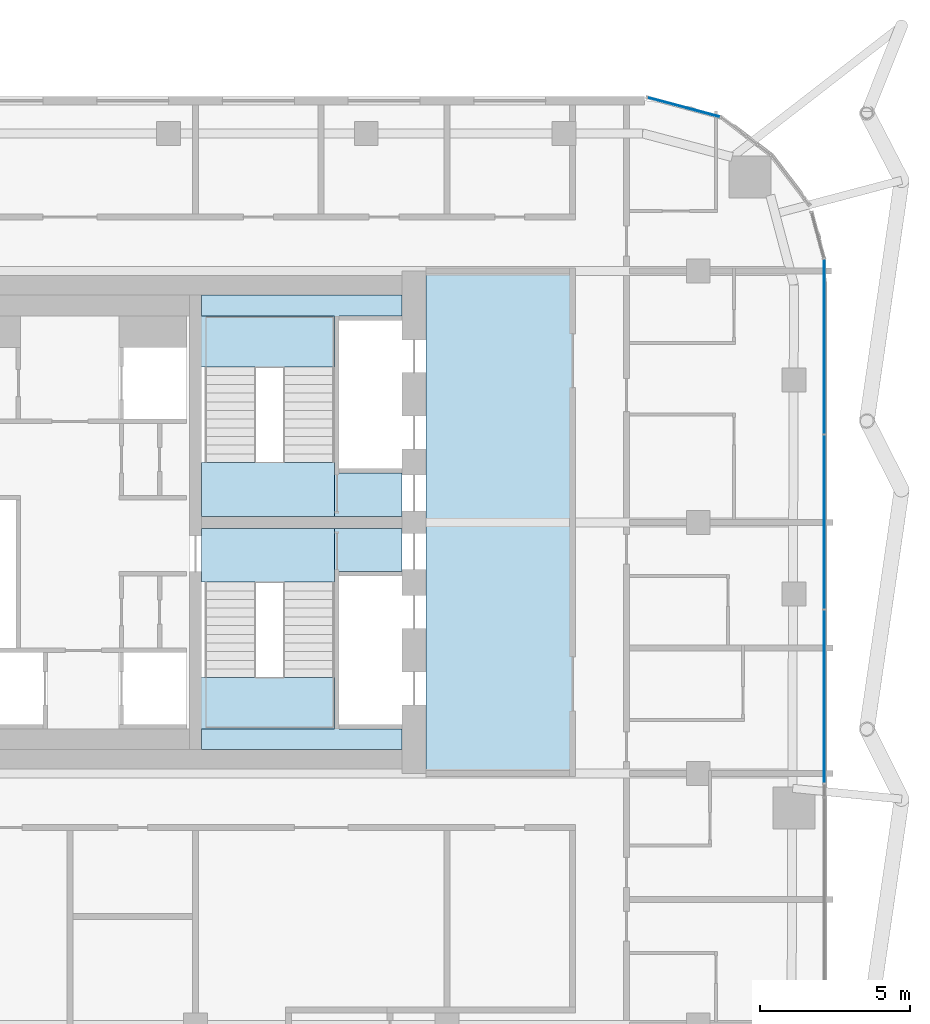
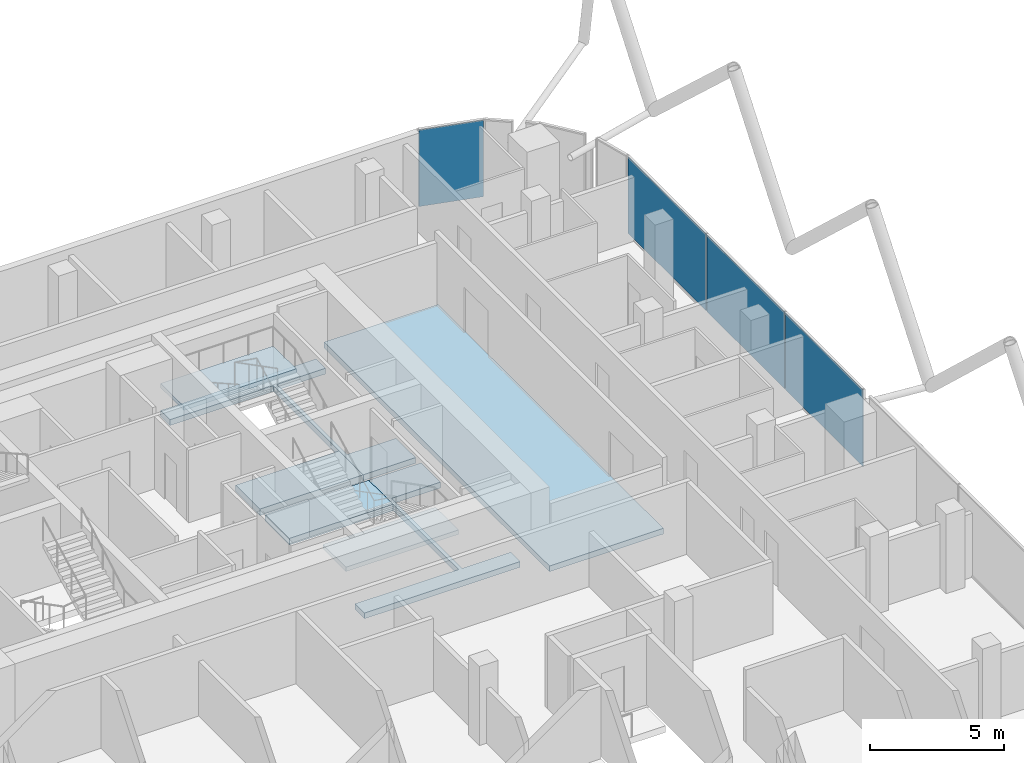
# One storey, part 23 of 33: 7 slabs, 4 plates, 4 elements without a shape of their own.
"""IFC4 building model written with IfcOpenShell, lengths in metres."""

from ifc_helpers import new_model, si_unit, direction, frame, origin, origin_2d, place, context, subcontext, project, spatial, polyline, rectangle, outline, extrude, material, layer, layer_set, type_object, element, aggregate, save


model = new_model("IFC4")

# Units and contexts
model_context = context("Model", 3, precision=1e-05, world=origin(), true_north=direction((0.0, 1.0)))
body_context = subcontext(model_context, "Body", "Model", "MODEL_VIEW")
ifc_project = project(units=[si_unit("LENGTHUNIT", "METRE"), si_unit("AREAUNIT", "SQUARE_METRE"), si_unit("VOLUMEUNIT", "CUBIC_METRE"), si_unit("PLANEANGLEUNIT", "RADIAN"), si_unit("MASSUNIT", "GRAM", prefix="KILO")], contexts=[model_context])

# Site, building, storey
site_placement = place(None, origin())
site = spatial("IfcSite", under=ifc_project, at=site_placement, CompositionType="ELEMENT")
building_placement = place(site_placement, origin())
building = spatial("IfcBuilding", under=site, at=building_placement, Name="Marenta Gate Hotel Tower", CompositionType="ELEMENT")
storey_placement = place(building_placement, frame((0.0, 0.0, 248.89990234375)))
storey = spatial("IfcBuildingStorey", under=building, at=storey_placement, Name="L59", CompositionType="ELEMENT", Elevation=248.89990234375)

# Slabs
ifc_material_1 = material(Name="Concrete C40", Category="concrete")
ifc_layer_1 = layer(ifc_material_1, 0.260009765625)
ifc_layer_set_1 = layer_set([ifc_layer_1], Name="Concrete C40")
slab_type_1 = type_object("IfcSlabType", Name="Core floor slab 260", PredefinedType="FLOOR", material=ifc_layer_set_1)
slab_1_placement = place(storey_placement, frame((0.0, 0.0, -0.260009765625)))
element("IfcSlab", 1, at=slab_1_placement, inside=storey, type_object=slab_type_1, Name="L59-CF-1", PredefinedType="FLOOR", context=body_context, shape_type="SweptSolid", body=[
    extrude(outline(polyline([(11.89990234375, 0.0), (11.89990234375, 16.800048828125), (16.800048828125, 16.800048828125), (16.800048828125, 0.0), (11.89990234375, 0.0)])), origin(), (0.0, 0.0, 1.0), 0.260009765625),
])
slab_2_placement = place(storey_placement, frame((0.0, 0.0, -0.260009765625)))
element("IfcSlab", 2, at=slab_2_placement, inside=storey, type_object=slab_type_1, Name="L59-CF-2", PredefinedType="FLOOR", context=body_context, shape_type="SweptSolid", body=[
    extrude(outline(polyline([(8.85009765625, 1.5), (8.85009765625, 6.39990234375), (8.85009765625, 8.10009765625), (8.85009765625, 8.199951171875), (11.10009765625, 8.199951171875), (11.10009765625, 6.75), (9.0, 6.75), (9.0, 6.60009765625), (9.0, 4.199951171875), (9.0, 4.050048828125), (9.0, 1.64990234375), (9.0, 1.5), (11.10009765625, 1.5), (11.10009765625, 0.800048828125), (4.39990234375, 0.800048828125), (4.39990234375, 1.5), (8.85009765625, 1.5)])), origin(), (0.0, 0.0, 1.0), 0.260009765625),
])
slab_3_placement = place(storey_placement, frame((0.0, 0.0, -0.260009765625)))
element("IfcSlab", 3, at=slab_3_placement, inside=storey, type_object=slab_type_1, Name="L59-CF-3", PredefinedType="FLOOR", context=body_context, shape_type="SweptSolid", body=[
    extrude(outline(polyline([(8.85009765625, 15.300048828125), (4.39990234375, 15.300048828125), (4.39990234375, 16.0), (11.10009765625, 16.0), (11.10009765625, 15.300048828125), (9.0, 15.300048828125), (9.0, 15.14990234375), (9.0, 12.75), (9.0, 12.60009765625), (9.0, 10.199951171875), (9.0, 10.050048828125), (11.10009765625, 10.050048828125), (11.10009765625, 8.60009765625), (8.85009765625, 8.60009765625), (8.85009765625, 8.699951171875), (8.85009765625, 10.39990234375), (8.85009765625, 15.300048828125)])), origin(), (0.0, 0.0, 1.0), 0.260009765625),
])

# Stair, slab
ifc_material_2 = material(Name="Concrete C40", Category="concrete")
stair_type = type_object("IfcStairType", Name="Core exit stair 1700 wide", PredefinedType="HALF_TURN_STAIR", material=ifc_material_2)
stair_1_placement = place(storey_placement, origin())
stair_1 = element("IfcStair", 4, at=stair_1_placement, inside=storey, type_object=stair_type, Name="Exit stair 3", PredefinedType="HALF_TURN_STAIR")
ifc_material_3 = material(Name="Concrete C40", Category="concrete")
ifc_layer_2 = layer(ifc_material_3, 0.199951171875)
ifc_layer_set_2 = layer_set([ifc_layer_2], Name="Concrete C40")
slab_type_2 = type_object("IfcSlabType", Name="Core stair landing 200", PredefinedType="LANDING", material=ifc_layer_set_2)
slab_4_placement = place(storey_placement, frame((0.0, 0.0, 1.60009765625)))
slab_4 = element("IfcSlab", 5, at=slab_4_placement, type_object=slab_type_2, Name="SL-200 ST3 landing 1", PredefinedType="LANDING", context=body_context, shape_type="SweptSolid", body=[
    extrude(outline(polyline([(4.0, 1.5), (8.85009765625, 1.5), (8.85009765625, 3.2099609375), (4.0, 3.2099609375), (4.0, 1.5)])), origin(), (0.0, 0.0, 1.0), 0.199951171875),
])
aggregate(stair_1, [slab_4])

stair_2_placement = place(storey_placement, origin())
stair_2 = element("IfcStair", 6, at=stair_2_placement, inside=storey, type_object=stair_type, Name="Exit stair 4", PredefinedType="HALF_TURN_STAIR")
slab_5_placement = place(storey_placement, frame((0.0, 0.0, 1.60009765625)))
slab_5 = element("IfcSlab", 7, at=slab_5_placement, type_object=slab_type_2, Name="SL-200 ST4 landing 1", PredefinedType="LANDING", context=body_context, shape_type="SweptSolid", body=[
    extrude(outline(polyline([(4.0, 13.590087890625), (8.85009765625, 13.590087890625), (8.85009765625, 15.300048828125), (4.0, 15.300048828125), (4.0, 13.590087890625)])), origin(), (0.0, 0.0, 1.0), 0.199951171875),
])
aggregate(stair_2, [slab_5])

# Curtain wall, plates
ifc_material_4 = material(Name="Tinted insulated glass in bronze anodised frame", Category="glass")
ifc_layer_3 = layer(ifc_material_4, 0.1201171875)
ifc_layer_set_3 = layer_set([ifc_layer_3], Name="Tinted insulated glass in bronze anodised frame")
curtain_wall_type = type_object("IfcCurtainWallType", Name="Tower unitised curtain wall CW1", PredefinedType="NOTDEFINED", material=ifc_layer_set_3)
curtain_wall_1_placement = place(storey_placement, origin())
curtain_wall_1 = element("IfcCurtainWall", 8, at=curtain_wall_1_placement, inside=storey, type_object=curtain_wall_type, Name="CW1 run G34", PredefinedType="NOTDEFINED")
ifc_material_5 = material(Name="Tinted insulated glass", Category="glass")
ifc_layer_4 = layer(ifc_material_5, 0.028076171875)
ifc_layer_set_4 = layer_set([ifc_layer_4], Name="Tinted insulated glass")
plate_type = type_object("IfcPlateType", Name="Glass panel CW1 28 mm tinted insulated unit", PredefinedType="CURTAIN_PANEL", material=ifc_layer_set_4)
plate_1_placement = place(storey_placement, frame((25.214111328125, 2.57373046875, 0.06005859375), z_axis=(0.0, 0.0, 1.0), x_axis=(0.0, 1.0, 0.0)))
plate_1 = element("IfcPlate", 9, at=plate_1_placement, type_object=plate_type, Name="CW1 panel 1.1", PredefinedType="CURTAIN_PANEL", context=body_context, shape_type="SweptSolid", body=[
    extrude(rectangle(XDim=5.76318359375, YDim=0.028076171875, at=origin_2d()), origin(), (0.0, 0.0, 1.0), 3.47998046875),
])
plate_2_placement = place(storey_placement, frame((25.214111328125, 8.412109375, 0.06005859375), z_axis=(0.0, 0.0, 1.0), x_axis=(0.0, 1.0, 0.0)))
plate_2 = element("IfcPlate", 10, at=plate_2_placement, type_object=plate_type, Name="CW1 panel 2.1", PredefinedType="CURTAIN_PANEL", context=body_context, shape_type="SweptSolid", body=[
    extrude(rectangle(XDim=5.793212890625, YDim=0.028076171875, at=origin_2d()), origin(), (0.0, 0.0, 1.0), 3.47998046875),
])
plate_3_placement = place(storey_placement, frame((25.214111328125, 14.2802734375, 0.06005859375), z_axis=(0.0, 0.0, 1.0), x_axis=(0.0, 1.0, 0.0)))
plate_3 = element("IfcPlate", 11, at=plate_3_placement, type_object=plate_type, Name="CW1 panel 3.1", PredefinedType="CURTAIN_PANEL", context=body_context, shape_type="SweptSolid", body=[
    extrude(rectangle(XDim=5.8232421875, YDim=0.028076171875, at=origin_2d()), origin(), (0.0, 0.0, 1.0), 3.47998046875),
])
aggregate(curtain_wall_1, [plate_1, plate_2, plate_3])

# Curtain wall, plate
curtain_wall_2_placement = place(storey_placement, origin())
curtain_wall_2 = element("IfcCurtainWall", 12, at=curtain_wall_2_placement, inside=storey, type_object=curtain_wall_type, Name="CW1 run G41", PredefinedType="NOTDEFINED")
plate_4_placement = place(storey_placement, frame((20.51953125, 22.272705078125, 0.06005859375), z_axis=(0.0, 0.0, 1.0), x_axis=(-0.96592961764, 0.258804895175, 0.0)))
plate_4 = element("IfcPlate", 13, at=plate_4_placement, type_object=plate_type, Name="CW1 panel 1.1", PredefinedType="CURTAIN_PANEL", context=body_context, shape_type="SweptSolid", body=[
    extrude(rectangle(XDim=2.4951171875, YDim=0.028076171875, at=origin_2d()), origin(), (0.0, 0.0, 1.0), 3.47998046875),
])
aggregate(curtain_wall_2, [plate_4])

# Slabs
ifc_material_6 = material(Name="Concrete C40", Category="concrete")
ifc_layer_5 = layer(ifc_material_6, 0.300048828125)
ifc_layer_set_5 = layer_set([ifc_layer_5], Name="Concrete C40")
slab_type_3 = type_object("IfcSlabType", Name="Stair floor landing slab 300", PredefinedType="FLOOR", material=ifc_layer_set_5)
slab_6_placement = place(storey_placement, frame((0.0, 0.0, -0.2998046875)))
element("IfcSlab", 14, at=slab_6_placement, inside=storey, type_object=slab_type_3, Name="L59-CL-ST3-1", PredefinedType="FLOOR", context=body_context, shape_type="SweptSolid", body=[
    extrude(outline(polyline([(4.39990234375, 6.39990234375), (4.39990234375, 8.199951171875), (8.85009765625, 8.199951171875), (8.85009765625, 8.10009765625), (8.85009765625, 6.39990234375), (4.39990234375, 6.39990234375)])), origin(), (0.0, 0.0, 1.0), 0.2998046875),
])
slab_7_placement = place(storey_placement, frame((0.0, 0.0, -0.2998046875)))
element("IfcSlab", 15, at=slab_7_placement, inside=storey, type_object=slab_type_3, Name="L59-CL-ST4-1", PredefinedType="FLOOR", context=body_context, shape_type="SweptSolid", body=[
    extrude(outline(polyline([(4.39990234375, 8.60009765625), (4.39990234375, 10.39990234375), (8.85009765625, 10.39990234375), (8.85009765625, 8.699951171875), (8.85009765625, 8.60009765625), (4.39990234375, 8.60009765625)])), origin(), (0.0, 0.0, 1.0), 0.2998046875),
])

save(model, "model.ifc")
